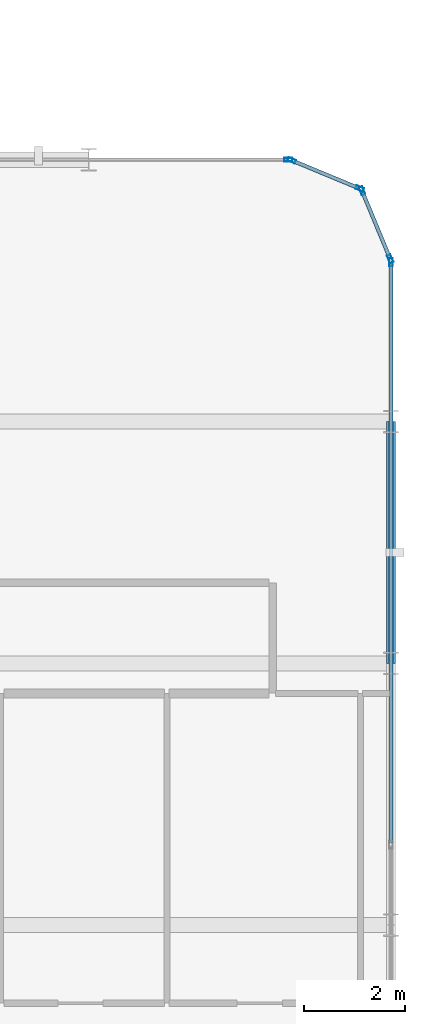
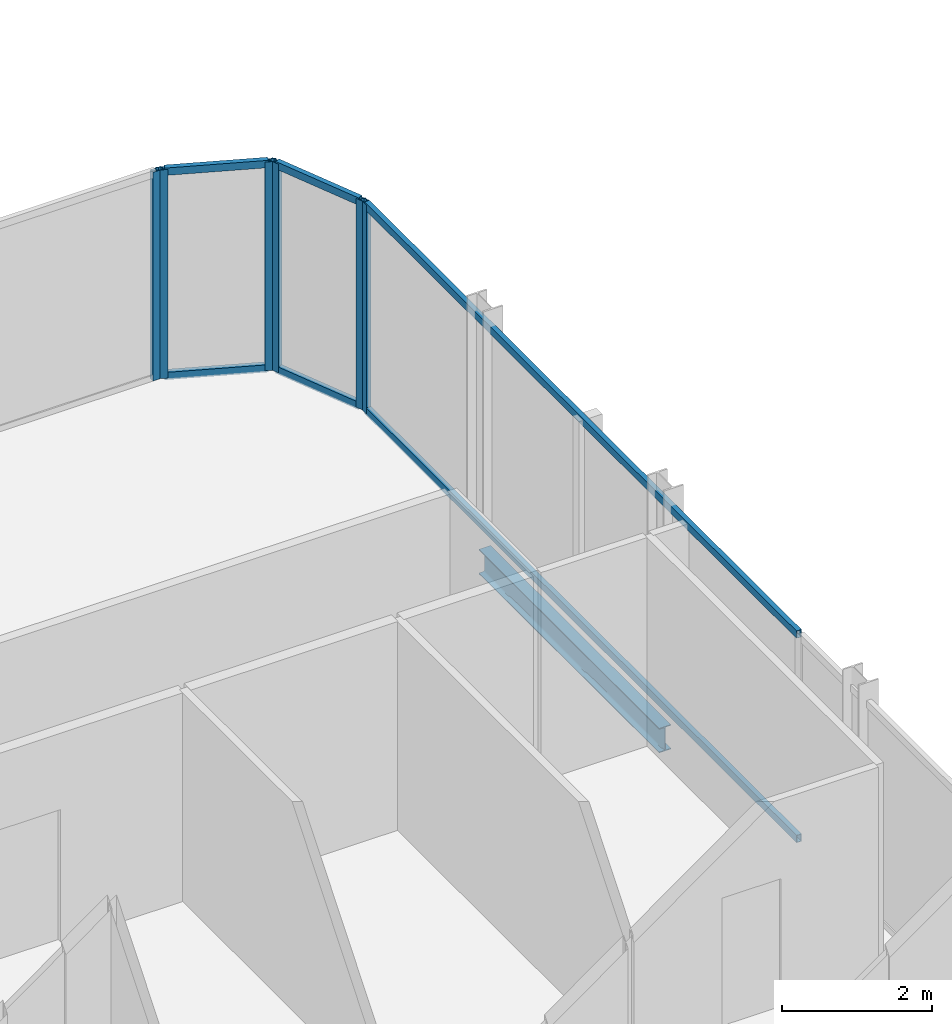
# One storey, part 15 of 29: 12 members, 1 beam, 4 elements without a shape of their own.
"""IFC4 building model written with IfcOpenShell, lengths in metres."""

import ifcopenshell
import ifcopenshell.guid

model = None  # the IFC model being written
_history = None  # IfcOwnerHistory: only IFC2X3 demands one
_inside = {}  # id of a spatial element -> (the spatial element, [elements in it])
_under = {}  # id of a project, library or spatial element -> (it, [spatial elements below it])
_declared = {}  # id of a project -> (the project, [libraries it declares])
_typed = {}  # id of a type object -> (the type object, [elements of that type])
_made_of = {}  # id of a material, layer set ... -> (it, [elements and type objects made of it])


def new_model(schema):
    """Start an empty IFC model of exactly this schema.

    Asked for "IFC4X3", IfcOpenShell would pick the latest addendum, in which some entities
    have other attributes; the version numbers below select the first issue.
    IFC2X3 requires an IfcOwnerHistory on every rooted entity: one is made here for all.
    """
    global model, _history
    if schema == "IFC4X3":
        model = ifcopenshell.file(schema_version=(4, 3, 0, 0))
    else:
        model = ifcopenshell.file(schema=schema)
    _inside.clear()
    _under.clear()
    _declared.clear()
    _typed.clear()
    _made_of.clear()
    _history = None
    if model.schema == "IFC2X3":
        org = make("IfcOrganization", Name="unknown")
        user = make(
            "IfcPersonAndOrganization",
            ThePerson=make("IfcPerson", FamilyName="unknown"),
            TheOrganization=org,
        )
        app = make(
            "IfcApplication",
            ApplicationDeveloper=org,
            Version="unknown",
            ApplicationFullName="unknown",
            ApplicationIdentifier="unknown",
        )
        _history = make(
            "IfcOwnerHistory",
            OwningUser=user,
            OwningApplication=app,
            ChangeAction="ADDED",
            CreationDate=0,
        )
    return model


def make(cls, **values):
    """One entity of the class cls with the attributes given. An attribute that is None is left unset."""
    return model.create_entity(
        cls, **{name: value for name, value in values.items() if value is not None}
    )


def rooted(cls, **values):
    """An entity with a GlobalId (a new one), such as an element, a storey or a relation."""
    return make(cls, GlobalId=ifcopenshell.guid.new(), OwnerHistory=_history, **values)


def si_unit(unit_type, name, prefix=None):
    """IfcSIUnit, for example si_unit("LENGTHUNIT", "METRE", prefix="MILLI")."""
    return make("IfcSIUnit", UnitType=unit_type, Prefix=prefix, Name=name)


def assignment(units):
    """IfcUnitAssignment: the units of a project."""
    return None if units is None else make("IfcUnitAssignment", Units=units)


def point(xyz):
    """IfcCartesianPoint."""
    return None if xyz is None else make("IfcCartesianPoint", Coordinates=xyz)


def direction(xyz):
    """IfcDirection."""
    return None if xyz is None else make("IfcDirection", DirectionRatios=xyz)


def frame(location, z_axis=None, x_axis=None):
    """IfcAxis2Placement3D, a coordinate frame: its origin and axes. An axis left out is left unset."""
    return make(
        "IfcAxis2Placement3D",
        Location=point(location),
        Axis=direction(z_axis),
        RefDirection=direction(x_axis),
    )


def frame_2d(location, x_axis=None):
    """IfcAxis2Placement2D, a coordinate frame in the plane: its origin and x axis."""
    return make(
        "IfcAxis2Placement2D", Location=point(location), RefDirection=direction(x_axis)
    )


def origin():
    """The frame at (0, 0, 0) with its axes left unset."""
    return frame((0.0, 0.0, 0.0))


def origin_2d():
    """The frame at (0, 0) in the plane with its x axis left unset."""
    return frame_2d((0.0, 0.0))


def place(relative_to, where):
    """IfcLocalPlacement: puts the frame where relative to a parent placement (None: the world)."""
    return make(
        "IfcLocalPlacement", PlacementRelTo=relative_to, RelativePlacement=where
    )


def context(
    kind, dimensions, precision=None, world=None, true_north=None, identifier=None
):
    """IfcGeometricRepresentationContext, for example the 3D "Model" context."""
    return make(
        "IfcGeometricRepresentationContext",
        ContextIdentifier=identifier,
        ContextType=kind,
        CoordinateSpaceDimension=dimensions,
        Precision=precision,
        WorldCoordinateSystem=world,
        TrueNorth=true_north,
    )


def subcontext(parent, identifier, kind, view, scale=None):
    """IfcGeometricRepresentationSubContext, for example "Body" below "Model"."""
    return make(
        "IfcGeometricRepresentationSubContext",
        ContextIdentifier=identifier,
        ContextType=kind,
        ParentContext=parent,
        TargetScale=scale,
        TargetView=view,
    )


def project(units=None, contexts=None):
    """IfcProject with its units and contexts."""
    return rooted(
        "IfcProject",
        Name="project",
        RepresentationContexts=contexts,
        UnitsInContext=assignment(units),
    )


def spatial(cls, under=None, at=None, **own):
    """A site, building, storey or space (cls), placed at a placement, below another one or the project."""
    s = rooted(cls, ObjectPlacement=at, **own)
    if under is not None:
        _under.setdefault(under.id(), (under, []))[1].append(s)
    return s


def profile(cls, at=None, kind="AREA", **sizes):
    """A parametric profile (cls). Its sizes go by their IFC names, for example OverallWidth=200.0."""
    return make(cls, ProfileType=kind, Position=at, **sizes)


def hollow_rectangle(**sizes):
    """IfcRectangleHollowProfileDef."""
    return profile("IfcRectangleHollowProfileDef", **sizes)


def i_section(**sizes):
    """IfcIShapeProfileDef."""
    return profile("IfcIShapeProfileDef", **sizes)


def extrude(swept, where, along, depth):
    """IfcExtrudedAreaSolid: the profile swept, set in the frame where, extruded along a direction by depth."""
    return make(
        "IfcExtrudedAreaSolid",
        SweptArea=swept,
        Position=where,
        ExtrudedDirection=direction(along),
        Depth=depth,
    )


def shape(context_of_items, identifier, shape_type, items):
    """IfcShapeRepresentation: the items that make up one representation, for example the "Body"."""
    return make(
        "IfcShapeRepresentation",
        ContextOfItems=context_of_items,
        RepresentationIdentifier=identifier,
        RepresentationType=shape_type,
        Items=items,
    )


def material(Name=None, Category=None):
    """IfcMaterial."""
    return make("IfcMaterial", Name=Name, Category=Category)


def layer(
    of_material, thickness, ventilated=None, Name=None, Category=None, Priority=None
):
    """IfcMaterialLayer: one layer of a wall or slab, of a material (None: an air gap)."""
    return make(
        "IfcMaterialLayer",
        Material=of_material,
        LayerThickness=thickness,
        IsVentilated=ventilated,
        Name=Name,
        Category=Category,
        Priority=Priority,
    )


def layer_set(layers, Name=None):
    """IfcMaterialLayerSet."""
    return make("IfcMaterialLayerSet", MaterialLayers=layers, LayerSetName=Name)


def material_profile(
    of_material, cross_section, Name=None, Category=None, Priority=None
):
    """IfcMaterialProfile: a cross section and its material."""
    return make(
        "IfcMaterialProfile",
        Name=Name,
        Material=of_material,
        Profile=cross_section,
        Priority=Priority,
        Category=Category,
    )


def profile_set(profiles, Name=None, composite=None):
    """IfcMaterialProfileSet."""
    return make(
        "IfcMaterialProfileSet",
        Name=Name,
        MaterialProfiles=profiles,
        CompositeProfile=composite,
    )


def made_of(thing, what):
    """Note that an element or type object is made of a material, layer set ...; save() writes the relation."""
    if what is not None:
        _made_of.setdefault(what.id(), (what, []))[1].append(thing)
    return thing


def type_object(cls, material=None, **own):
    """A type object (cls), such as IfcWallType, which elements share."""
    return made_of(rooted(cls, **own), material)


def element(
    cls,
    number,
    at=None,
    inside=None,
    cuts=None,
    type_object=None,
    material=None,
    context=None,
    identifier="Body",
    shape_type=None,
    held_by="IfcProductDefinitionShape",
    body=None,
    shapes=None,
    **own,
):
    """One element of the class cls, such as IfcWall. Its Tag is "e" and its number.

    at: its placement. inside: the storey or other place that contains it. cuts: it is an
    opening in that element (IfcRelVoidsElement). A single representation is given by context,
    identifier, shape_type and body (its items); several are given by shapes. held_by: the class
    of the entity that holds the representations. save() writes the other relations.
    """
    e = rooted(cls, Tag="e%d" % number, ObjectPlacement=at, **own)
    if body is not None:
        shapes = [shape(context, identifier, shape_type, body)]
    if shapes is not None:
        e.Representation = make(held_by, Representations=shapes)
    if inside is not None:
        _inside.setdefault(inside.id(), (inside, []))[1].append(e)
    if cuts is not None:
        rooted(
            "IfcRelVoidsElement", RelatingBuildingElement=cuts, RelatedOpeningElement=e
        )
    if type_object is not None:
        _typed.setdefault(type_object.id(), (type_object, []))[1].append(e)
    return made_of(e, material)


def aggregate(whole, parts):
    """IfcRelAggregates: a whole, such as a stair, and the parts it consists of."""
    return rooted("IfcRelAggregates", RelatingObject=whole, RelatedObjects=parts)


def save(model, path):
    """Write the relations noted so far, then the file.

    IfcRelAggregates (storeys below a building ...), IfcRelContainedInSpatialStructure (elements
    in a storey), IfcRelDefinesByType, IfcRelAssociatesMaterial and IfcRelDeclares: one each for
    every whole, place, type object, material and project.
    """
    for whole, parts in _under.values():
        aggregate(whole, parts)
    for where, things in _inside.values():
        rooted(
            "IfcRelContainedInSpatialStructure",
            RelatedElements=things,
            RelatingStructure=where,
        )
    for kind, things in _typed.values():
        rooted("IfcRelDefinesByType", RelatedObjects=things, RelatingType=kind)
    for what, things in _made_of.values():
        rooted("IfcRelAssociatesMaterial", RelatedObjects=things, RelatingMaterial=what)
    for by, libraries in _declared.values():
        rooted("IfcRelDeclares", RelatingContext=by, RelatedDefinitions=libraries)
    model.write(path)


model = new_model("IFC4")

# Units and contexts
model_context = context("Model", 3, precision=1e-05, world=origin(), true_north=direction((0.0, 1.0)))
body_context = subcontext(model_context, "Body", "Model", "MODEL_VIEW")
ifc_project = project(units=[si_unit("LENGTHUNIT", "METRE"), si_unit("AREAUNIT", "SQUARE_METRE"), si_unit("VOLUMEUNIT", "CUBIC_METRE"), si_unit("PLANEANGLEUNIT", "RADIAN"), si_unit("MASSUNIT", "GRAM", prefix="KILO")], contexts=[model_context])

# Site, building, storey
site_placement = place(None, origin())
site = spatial("IfcSite", under=ifc_project, at=site_placement, CompositionType="ELEMENT")
building_placement = place(site_placement, origin())
building = spatial("IfcBuilding", under=site, at=building_placement, Name="Keshet Zoharim Tower", CompositionType="ELEMENT")
storey_placement = place(building_placement, frame((0.0, 0.0, 195.800048828125)))
storey = spatial("IfcBuildingStorey", under=building, at=storey_placement, Name="L48", CompositionType="ELEMENT", Elevation=195.800048828125)

# Beam
ifc_material_1 = material(Name="Steel S355", Category="steel")
ifc_material_profile_1 = material_profile(ifc_material_1, i_section(OverallWidth=0.179931640625, OverallDepth=0.39990234375, WebThickness=0.008544921875, FlangeThickness=0.013427734375, FilletRadius=0.02099609375, at=origin_2d()), Name="IPE400")
ifc_profile_set_1 = profile_set([ifc_material_profile_1], Name="Steel S355")
beam_type = type_object("IfcBeamType", Name="BM-PRI-IP400", PredefinedType="BEAM", material=ifc_profile_set_1)
beam_placement = place(storey_placement, frame((57.0, 17.89990234375, -0.510009765625), z_axis=(0.0, 1.0, 0.0), x_axis=(-1.0, 0.0, 0.0)))
element("IfcBeam", 1, at=beam_placement, inside=storey, type_object=beam_type, Name="L48 Primary Girder Y-015", PredefinedType="BEAM", context=body_context, shape_type="SweptSolid", body=[
    extrude(i_section(OverallWidth=0.179931640625, OverallDepth=0.39990234375, WebThickness=0.008544921875, FlangeThickness=0.013427734375, FilletRadius=0.02099609375, at=origin_2d()), origin(), (0.0, 0.0, 1.0), 4.800048828125),
])

# Curtain wall, members
ifc_material_2 = material(Name="Aluminium 6063-T6", Category="aluminium")
ifc_layer = layer(ifc_material_2, 0.139892578125)
ifc_layer_set = layer_set([ifc_layer], Name="Aluminium 6063-T6")
curtain_wall_type = type_object("IfcCurtainWallType", Name="CW-SYS-05", PredefinedType="NOTDEFINED", material=ifc_layer_set)
curtain_wall_1_placement = place(storey_placement, origin())
curtain_wall_1 = element("IfcCurtainWall", 2, at=curtain_wall_1_placement, inside=storey, type_object=curtain_wall_type, Name="L48 Unitised Curtain Wall 01", PredefinedType="NOTDEFINED")
ifc_material_profile_2 = material_profile(ifc_material_2, hollow_rectangle(XDim=0.074951171875, YDim=0.159912109375, WallThickness=0.00390625, at=origin_2d()), Name="MUL-75x160")
ifc_profile_set_2 = profile_set([ifc_material_profile_2], Name="Aluminium 6063-T6")
member_type_1 = type_object("IfcMemberType", Name="CWM-M15", PredefinedType="MULLION", material=ifc_profile_set_2)
member_1_placement = place(storey_placement, frame((55.0322265625, 27.88671875, 0.0), z_axis=(0.0, 0.0, 1.0), x_axis=(0.382851849847, 0.92380975372, 0.0)))
member_1 = element("IfcMember", 3, at=member_1_placement, type_object=member_type_1, Name="CW-05 mullion 1", PredefinedType="MULLION", context=body_context, shape_type="SweptSolid", body=[
    extrude(hollow_rectangle(XDim=0.074951171875, YDim=0.159912109375, WallThickness=0.00390625, at=origin_2d()), origin(), (0.0, 0.0, 1.0), 3.389892578125),
])
member_2_placement = place(storey_placement, frame((56.381591796875, 27.327392578125, 0.0), z_axis=(0.0, 0.0, 1.0), x_axis=(0.382851849847, 0.92380975372, 0.0)))
member_2 = element("IfcMember", 4, at=member_2_placement, type_object=member_type_1, Name="CW-05 mullion 2", PredefinedType="MULLION", context=body_context, shape_type="SweptSolid", body=[
    extrude(hollow_rectangle(XDim=0.074951171875, YDim=0.159912109375, WallThickness=0.00390625, at=origin_2d()), origin(), (0.0, 0.0, 1.0), 3.389892578125),
])

curtain_wall_2_placement = place(storey_placement, origin())
curtain_wall_2 = element("IfcCurtainWall", 5, at=curtain_wall_2_placement, inside=storey, type_object=curtain_wall_type, Name="L48 Unitised Curtain Wall 02", PredefinedType="NOTDEFINED")
member_3_placement = place(storey_placement, frame((56.427490234375, 27.28173828125, 0.0), z_axis=(0.0, 0.0, 1.0), x_axis=(0.92380975372, 0.382851849847, 0.0)))
member_3 = element("IfcMember", 6, at=member_3_placement, type_object=member_type_1, Name="CW-05 mullion 1", PredefinedType="MULLION", context=body_context, shape_type="SweptSolid", body=[
    extrude(hollow_rectangle(XDim=0.074951171875, YDim=0.159912109375, WallThickness=0.00390625, at=origin_2d()), origin(), (0.0, 0.0, 1.0), 3.389892578125),
])
member_4_placement = place(storey_placement, frame((56.986572265625, 25.932373046875, 0.0), z_axis=(0.0, 0.0, 1.0), x_axis=(0.92380975372, 0.382851849847, 0.0)))
member_4 = element("IfcMember", 7, at=member_4_placement, type_object=member_type_1, Name="CW-05 mullion 2", PredefinedType="MULLION", context=body_context, shape_type="SweptSolid", body=[
    extrude(hollow_rectangle(XDim=0.074951171875, YDim=0.159912109375, WallThickness=0.00390625, at=origin_2d()), origin(), (0.0, 0.0, 1.0), 3.389892578125),
])

# Curtain wall, member
curtain_wall_3_placement = place(storey_placement, origin())
curtain_wall_3 = element("IfcCurtainWall", 8, at=curtain_wall_3_placement, inside=storey, type_object=curtain_wall_type, Name="L48 Unitised Curtain Wall 03", PredefinedType="NOTDEFINED")
member_5_placement = place(storey_placement, frame((57.0, 25.864990234375, 0.0), z_axis=(0.0, 0.0, 1.0), x_axis=(1.0, 0.0, 0.0)))
member_5 = element("IfcMember", 9, at=member_5_placement, type_object=member_type_1, Name="CW-05 mullion 1", PredefinedType="MULLION", context=body_context, shape_type="SweptSolid", body=[
    extrude(hollow_rectangle(XDim=0.074951171875, YDim=0.159912109375, WallThickness=0.00390625, at=origin_2d()), origin(), (0.0, 0.0, 1.0), 3.389892578125),
])

curtain_wall_4_placement = place(storey_placement, origin())
curtain_wall_4 = element("IfcCurtainWall", 10, at=curtain_wall_4_placement, inside=storey, type_object=curtain_wall_type, Name="L48 Unitised Curtain Wall 20 Part 2", PredefinedType="NOTDEFINED")
member_6_placement = place(storey_placement, frame((54.965087890625, 27.89990234375, 0.0), z_axis=(0.0, 0.0, 1.0), x_axis=(0.0, 1.0, 0.0)))
member_6 = element("IfcMember", 11, at=member_6_placement, type_object=member_type_1, Name="CW-05 mullion 2", PredefinedType="MULLION", context=body_context, shape_type="SweptSolid", body=[
    extrude(hollow_rectangle(XDim=0.074951171875, YDim=0.159912109375, WallThickness=0.00390625, at=origin_2d()), origin(), (0.0, 0.0, 1.0), 3.389892578125),
])
aggregate(curtain_wall_4, [member_6])

# Member
ifc_material_profile_3 = material_profile(ifc_material_2, hollow_rectangle(XDim=0.074951171875, YDim=0.1201171875, WallThickness=0.00390625, at=origin_2d()), Name="TRN-75x120")
ifc_profile_set_3 = profile_set([ifc_material_profile_3], Name="Aluminium 6063-T6")
member_type_2 = type_object("IfcMemberType", Name="CWT-T12", PredefinedType="USERDEFINED", material=ifc_profile_set_3)
member_7_placement = place(storey_placement, frame((55.064697265625, 27.873291015625, 0.034912109375), z_axis=(0.92379209995, -0.382894445076, 0.0), x_axis=(0.382894445076, 0.92379209995, 0.0)))
member_7 = element("IfcMember", 12, at=member_7_placement, type_object=member_type_2, Name="CW-05 transom 1.1", ObjectType="TRANSOM", PredefinedType="USERDEFINED", context=body_context, shape_type="SweptSolid", body=[
    extrude(hollow_rectangle(XDim=0.074951171875, YDim=0.1201171875, WallThickness=0.00390625, at=origin_2d()), origin(), (0.0, 0.0, 1.0), 1.390625),
])

member_8_placement = place(storey_placement, frame((55.064697265625, 27.873291015625, 3.35498046875), z_axis=(0.92379209995, -0.382894445076, 0.0), x_axis=(0.382894445076, 0.92379209995, 0.0)))
member_8 = element("IfcMember", 13, at=member_8_placement, type_object=member_type_2, Name="CW-05 transom 1.2", ObjectType="TRANSOM", PredefinedType="USERDEFINED", context=body_context, shape_type="SweptSolid", body=[
    extrude(hollow_rectangle(XDim=0.074951171875, YDim=0.1201171875, WallThickness=0.00390625, at=origin_2d()), origin(), (0.0, 0.0, 1.0), 1.390625),
])

aggregate(curtain_wall_1, [member_1, member_2, member_7, member_8])

member_9_placement = place(storey_placement, frame((56.44091796875, 27.249267578125, 0.034912109375), z_axis=(0.382744609247, -0.923854189844, 0.0), x_axis=(0.923854189844, 0.382744609247, 0.0)))
member_9 = element("IfcMember", 14, at=member_9_placement, type_object=member_type_2, Name="CW-05 transom 1.1", ObjectType="TRANSOM", PredefinedType="USERDEFINED", context=body_context, shape_type="SweptSolid", body=[
    extrude(hollow_rectangle(XDim=0.074951171875, YDim=0.1201171875, WallThickness=0.00390625, at=origin_2d()), origin(), (0.0, 0.0, 1.0), 1.390625),
])

member_10_placement = place(storey_placement, frame((56.44091796875, 27.249267578125, 3.35498046875), z_axis=(0.382744609247, -0.923854189844, 0.0), x_axis=(0.923854189844, 0.382744609247, 0.0)))
member_10 = element("IfcMember", 15, at=member_10_placement, type_object=member_type_2, Name="CW-05 transom 1.2", ObjectType="TRANSOM", PredefinedType="USERDEFINED", context=body_context, shape_type="SweptSolid", body=[
    extrude(hollow_rectangle(XDim=0.074951171875, YDim=0.1201171875, WallThickness=0.00390625, at=origin_2d()), origin(), (0.0, 0.0, 1.0), 1.390625),
])

aggregate(curtain_wall_2, [member_3, member_4, member_9, member_10])

member_11_placement = place(storey_placement, frame((57.0, 25.830078125, 0.034912109375), z_axis=(0.0, -1.0, 0.0), x_axis=(1.0, 0.0, 0.0)))
member_11 = element("IfcMember", 16, at=member_11_placement, type_object=member_type_2, Name="CW-05 transom 1.1", ObjectType="TRANSOM", PredefinedType="USERDEFINED", context=body_context, shape_type="SweptSolid", body=[
    extrude(hollow_rectangle(XDim=0.074951171875, YDim=0.1201171875, WallThickness=0.00390625, at=origin_2d()), origin(), (0.0, 0.0, 1.0), 11.4951171875),
])

member_12_placement = place(storey_placement, frame((57.0, 25.830078125, 3.35498046875), z_axis=(0.0, -1.0, 0.0), x_axis=(1.0, 0.0, 0.0)))
member_12 = element("IfcMember", 17, at=member_12_placement, type_object=member_type_2, Name="CW-05 transom 1.2", ObjectType="TRANSOM", PredefinedType="USERDEFINED", context=body_context, shape_type="SweptSolid", body=[
    extrude(hollow_rectangle(XDim=0.074951171875, YDim=0.1201171875, WallThickness=0.00390625, at=origin_2d()), origin(), (0.0, 0.0, 1.0), 11.4951171875),
])

aggregate(curtain_wall_3, [member_5, member_11, member_12])

save(model, "model.ifc")
